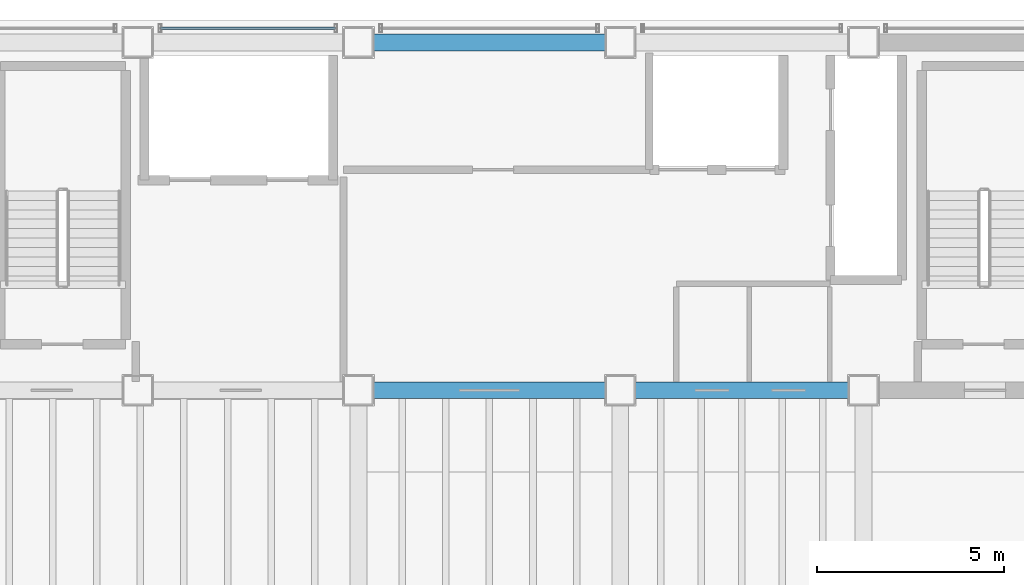
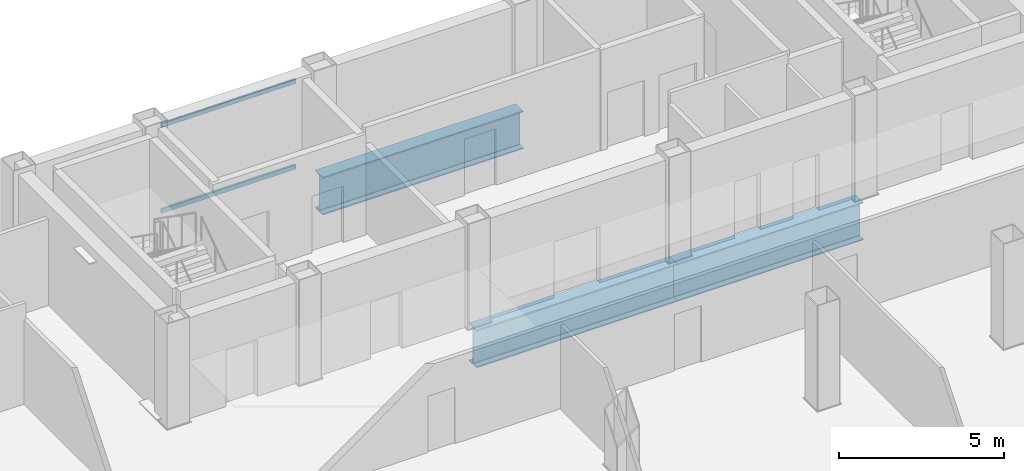
# One storey, part 12 of 22: 3 beams, 2 members, 1 element without a shape of its own.
"""IFC4 building model written with IfcOpenShell, lengths in metres."""

import ifcopenshell
import ifcopenshell.guid

model = None  # the IFC model being written
_history = None  # IfcOwnerHistory: only IFC2X3 demands one
_inside = {}  # id of a spatial element -> (the spatial element, [elements in it])
_under = {}  # id of a project, library or spatial element -> (it, [spatial elements below it])
_declared = {}  # id of a project -> (the project, [libraries it declares])
_typed = {}  # id of a type object -> (the type object, [elements of that type])
_made_of = {}  # id of a material, layer set ... -> (it, [elements and type objects made of it])


def new_model(schema):
    """Start an empty IFC model of exactly this schema.

    Asked for "IFC4X3", IfcOpenShell would pick the latest addendum, in which some entities
    have other attributes; the version numbers below select the first issue.
    IFC2X3 requires an IfcOwnerHistory on every rooted entity: one is made here for all.
    """
    global model, _history
    if schema == "IFC4X3":
        model = ifcopenshell.file(schema_version=(4, 3, 0, 0))
    else:
        model = ifcopenshell.file(schema=schema)
    _inside.clear()
    _under.clear()
    _declared.clear()
    _typed.clear()
    _made_of.clear()
    _history = None
    if model.schema == "IFC2X3":
        org = make("IfcOrganization", Name="unknown")
        user = make(
            "IfcPersonAndOrganization",
            ThePerson=make("IfcPerson", FamilyName="unknown"),
            TheOrganization=org,
        )
        app = make(
            "IfcApplication",
            ApplicationDeveloper=org,
            Version="unknown",
            ApplicationFullName="unknown",
            ApplicationIdentifier="unknown",
        )
        _history = make(
            "IfcOwnerHistory",
            OwningUser=user,
            OwningApplication=app,
            ChangeAction="ADDED",
            CreationDate=0,
        )
    return model


def make(cls, **values):
    """One entity of the class cls with the attributes given. An attribute that is None is left unset."""
    return model.create_entity(
        cls, **{name: value for name, value in values.items() if value is not None}
    )


def rooted(cls, **values):
    """An entity with a GlobalId (a new one), such as an element, a storey or a relation."""
    return make(cls, GlobalId=ifcopenshell.guid.new(), OwnerHistory=_history, **values)


def si_unit(unit_type, name, prefix=None):
    """IfcSIUnit, for example si_unit("LENGTHUNIT", "METRE", prefix="MILLI")."""
    return make("IfcSIUnit", UnitType=unit_type, Prefix=prefix, Name=name)


def assignment(units):
    """IfcUnitAssignment: the units of a project."""
    return None if units is None else make("IfcUnitAssignment", Units=units)


def point(xyz):
    """IfcCartesianPoint."""
    return None if xyz is None else make("IfcCartesianPoint", Coordinates=xyz)


def direction(xyz):
    """IfcDirection."""
    return None if xyz is None else make("IfcDirection", DirectionRatios=xyz)


def frame(location, z_axis=None, x_axis=None):
    """IfcAxis2Placement3D, a coordinate frame: its origin and axes. An axis left out is left unset."""
    return make(
        "IfcAxis2Placement3D",
        Location=point(location),
        Axis=direction(z_axis),
        RefDirection=direction(x_axis),
    )


def frame_2d(location, x_axis=None):
    """IfcAxis2Placement2D, a coordinate frame in the plane: its origin and x axis."""
    return make(
        "IfcAxis2Placement2D", Location=point(location), RefDirection=direction(x_axis)
    )


def origin():
    """The frame at (0, 0, 0) with its axes left unset."""
    return frame((0.0, 0.0, 0.0))


def origin_2d():
    """The frame at (0, 0) in the plane with its x axis left unset."""
    return frame_2d((0.0, 0.0))


def place(relative_to, where):
    """IfcLocalPlacement: puts the frame where relative to a parent placement (None: the world)."""
    return make(
        "IfcLocalPlacement", PlacementRelTo=relative_to, RelativePlacement=where
    )


def context(
    kind, dimensions, precision=None, world=None, true_north=None, identifier=None
):
    """IfcGeometricRepresentationContext, for example the 3D "Model" context."""
    return make(
        "IfcGeometricRepresentationContext",
        ContextIdentifier=identifier,
        ContextType=kind,
        CoordinateSpaceDimension=dimensions,
        Precision=precision,
        WorldCoordinateSystem=world,
        TrueNorth=true_north,
    )


def subcontext(parent, identifier, kind, view, scale=None):
    """IfcGeometricRepresentationSubContext, for example "Body" below "Model"."""
    return make(
        "IfcGeometricRepresentationSubContext",
        ContextIdentifier=identifier,
        ContextType=kind,
        ParentContext=parent,
        TargetScale=scale,
        TargetView=view,
    )


def project(units=None, contexts=None):
    """IfcProject with its units and contexts."""
    return rooted(
        "IfcProject",
        Name="project",
        RepresentationContexts=contexts,
        UnitsInContext=assignment(units),
    )


def spatial(cls, under=None, at=None, **own):
    """A site, building, storey or space (cls), placed at a placement, below another one or the project."""
    s = rooted(cls, ObjectPlacement=at, **own)
    if under is not None:
        _under.setdefault(under.id(), (under, []))[1].append(s)
    return s


def profile(cls, at=None, kind="AREA", **sizes):
    """A parametric profile (cls). Its sizes go by their IFC names, for example OverallWidth=200.0."""
    return make(cls, ProfileType=kind, Position=at, **sizes)


def hollow_rectangle(**sizes):
    """IfcRectangleHollowProfileDef."""
    return profile("IfcRectangleHollowProfileDef", **sizes)


def i_section(**sizes):
    """IfcIShapeProfileDef."""
    return profile("IfcIShapeProfileDef", **sizes)


def extrude(swept, where, along, depth):
    """IfcExtrudedAreaSolid: the profile swept, set in the frame where, extruded along a direction by depth."""
    return make(
        "IfcExtrudedAreaSolid",
        SweptArea=swept,
        Position=where,
        ExtrudedDirection=direction(along),
        Depth=depth,
    )


def shape(context_of_items, identifier, shape_type, items):
    """IfcShapeRepresentation: the items that make up one representation, for example the "Body"."""
    return make(
        "IfcShapeRepresentation",
        ContextOfItems=context_of_items,
        RepresentationIdentifier=identifier,
        RepresentationType=shape_type,
        Items=items,
    )


def material(Name=None, Category=None):
    """IfcMaterial."""
    return make("IfcMaterial", Name=Name, Category=Category)


def material_profile(
    of_material, cross_section, Name=None, Category=None, Priority=None
):
    """IfcMaterialProfile: a cross section and its material."""
    return make(
        "IfcMaterialProfile",
        Name=Name,
        Material=of_material,
        Profile=cross_section,
        Priority=Priority,
        Category=Category,
    )


def profile_set(profiles, Name=None, composite=None):
    """IfcMaterialProfileSet."""
    return make(
        "IfcMaterialProfileSet",
        Name=Name,
        MaterialProfiles=profiles,
        CompositeProfile=composite,
    )


def made_of(thing, what):
    """Note that an element or type object is made of a material, layer set ...; save() writes the relation."""
    if what is not None:
        _made_of.setdefault(what.id(), (what, []))[1].append(thing)
    return thing


def type_object(cls, material=None, **own):
    """A type object (cls), such as IfcWallType, which elements share."""
    return made_of(rooted(cls, **own), material)


def element(
    cls,
    number,
    at=None,
    inside=None,
    cuts=None,
    type_object=None,
    material=None,
    context=None,
    identifier="Body",
    shape_type=None,
    held_by="IfcProductDefinitionShape",
    body=None,
    shapes=None,
    **own,
):
    """One element of the class cls, such as IfcWall. Its Tag is "e" and its number.

    at: its placement. inside: the storey or other place that contains it. cuts: it is an
    opening in that element (IfcRelVoidsElement). A single representation is given by context,
    identifier, shape_type and body (its items); several are given by shapes. held_by: the class
    of the entity that holds the representations. save() writes the other relations.
    """
    e = rooted(cls, Tag="e%d" % number, ObjectPlacement=at, **own)
    if body is not None:
        shapes = [shape(context, identifier, shape_type, body)]
    if shapes is not None:
        e.Representation = make(held_by, Representations=shapes)
    if inside is not None:
        _inside.setdefault(inside.id(), (inside, []))[1].append(e)
    if cuts is not None:
        rooted(
            "IfcRelVoidsElement", RelatingBuildingElement=cuts, RelatedOpeningElement=e
        )
    if type_object is not None:
        _typed.setdefault(type_object.id(), (type_object, []))[1].append(e)
    return made_of(e, material)


def aggregate(whole, parts):
    """IfcRelAggregates: a whole, such as a stair, and the parts it consists of."""
    return rooted("IfcRelAggregates", RelatingObject=whole, RelatedObjects=parts)


def save(model, path):
    """Write the relations noted so far, then the file.

    IfcRelAggregates (storeys below a building ...), IfcRelContainedInSpatialStructure (elements
    in a storey), IfcRelDefinesByType, IfcRelAssociatesMaterial and IfcRelDeclares: one each for
    every whole, place, type object, material and project.
    """
    for whole, parts in _under.values():
        aggregate(whole, parts)
    for where, things in _inside.values():
        rooted(
            "IfcRelContainedInSpatialStructure",
            RelatedElements=things,
            RelatingStructure=where,
        )
    for kind, things in _typed.values():
        rooted("IfcRelDefinesByType", RelatedObjects=things, RelatingType=kind)
    for what, things in _made_of.values():
        rooted("IfcRelAssociatesMaterial", RelatedObjects=things, RelatingMaterial=what)
    for by, libraries in _declared.values():
        rooted("IfcRelDeclares", RelatingContext=by, RelatedDefinitions=libraries)
    model.write(path)


model = new_model("IFC4")

# Units and contexts
model_context = context("Model", 3, precision=1e-05, world=origin(), true_north=direction((0.0, 1.0)))
body_context = subcontext(model_context, "Body", "Model", "MODEL_VIEW")
ifc_project = project(units=[si_unit("LENGTHUNIT", "METRE"), si_unit("AREAUNIT", "SQUARE_METRE"), si_unit("VOLUMEUNIT", "CUBIC_METRE"), si_unit("PLANEANGLEUNIT", "RADIAN"), si_unit("MASSUNIT", "GRAM", prefix="KILO")], contexts=[model_context])

# Site, building, storey
site_placement = place(None, origin())
site = spatial("IfcSite", under=ifc_project, at=site_placement, CompositionType="ELEMENT")
building_placement = place(site_placement, origin())
building = spatial("IfcBuilding", under=site, at=building_placement, Name="Noeulbin Bourse Tower", CompositionType="ELEMENT")
storey_placement = place(building_placement, frame((0.0, 0.0, 230.60009765625)))
storey = spatial("IfcBuildingStorey", under=building, at=storey_placement, Name="L57", CompositionType="ELEMENT", Elevation=230.60009765625)

# Beams
ifc_material_1 = material(Name="Steel S460", Category="steel")
ifc_material_profile_1 = material_profile(ifc_material_1, i_section(OverallWidth=0.449951171875, OverallDepth=1.39990234375, WebThickness=0.02392578125, FlangeThickness=0.0400390625, FilletRadius=0.02392578125, at=origin_2d()), Name="PG-1400x450x24x40", Category="LoadBearing")
ifc_profile_set_1 = profile_set([ifc_material_profile_1], Name="Steel S460")
beam_type = type_object("IfcBeamType", Name="BM-TRF-1400", PredefinedType="USERDEFINED", material=ifc_profile_set_1)
beam_1_placement = place(storey_placement, frame((24.0, 29.0, -0.940185546875), z_axis=(1.0, 0.0, 0.0), x_axis=(0.0, 1.0, 0.0)))
element("IfcBeam", 1, at=beam_1_placement, inside=storey, type_object=beam_type, Name="Tower Primary Girder EW L57-2.5", ObjectType="GIRDER", PredefinedType="USERDEFINED", context=body_context, shape_type="SweptSolid", body=[
    extrude(i_section(OverallWidth=0.449951171875, OverallDepth=1.39990234375, WebThickness=0.02392578125, FlangeThickness=0.0400390625, FilletRadius=0.02392578125, at=origin_2d()), origin(), (0.0, 0.0, 1.0), 7.0),
])
beam_2_placement = place(storey_placement, frame((31.0, 29.0, -0.940185546875), z_axis=(1.0, 0.0, 0.0), x_axis=(0.0, 1.0, 0.0)))
element("IfcBeam", 2, at=beam_2_placement, inside=storey, type_object=beam_type, Name="Tower Primary Girder EW L57-2.6", ObjectType="GIRDER", PredefinedType="USERDEFINED", context=body_context, shape_type="SweptSolid", body=[
    extrude(i_section(OverallWidth=0.449951171875, OverallDepth=1.39990234375, WebThickness=0.02392578125, FlangeThickness=0.0400390625, FilletRadius=0.02392578125, at=origin_2d()), origin(), (0.0, 0.0, 1.0), 6.5),
])
beam_3_placement = place(storey_placement, frame((24.0, 38.300048828125, -0.940185546875), z_axis=(1.0, 0.0, 0.0), x_axis=(0.0, 1.0, 0.0)))
element("IfcBeam", 3, at=beam_3_placement, inside=storey, type_object=beam_type, Name="Tower Primary Girder EW L57-3.2", ObjectType="GIRDER", PredefinedType="USERDEFINED", context=body_context, shape_type="SweptSolid", body=[
    extrude(i_section(OverallWidth=0.449951171875, OverallDepth=1.39990234375, WebThickness=0.02392578125, FlangeThickness=0.0400390625, FilletRadius=0.02392578125, at=origin_2d()), origin(), (0.0, 0.0, 1.0), 7.0),
])

# Curtain wall, members
ifc_material_2 = material(Name="High-Selectivity Low-Iron Glazing", Category="glass")
curtain_wall_type = type_object("IfcCurtainWallType", Name="CW-SYS-4", PredefinedType="NOTDEFINED", material=ifc_material_2)
curtain_wall_placement = place(storey_placement, origin())
curtain_wall = element("IfcCurtainWall", 4, at=curtain_wall_placement, inside=storey, type_object=curtain_wall_type, Name="Unitised Curtain Wall CW-L57-N-S3", PredefinedType="NOTDEFINED")
ifc_material_3 = material(Name="Anodised Aluminium 6063-T6", Category="aluminium")
ifc_material_profile_2 = material_profile(ifc_material_3, hollow_rectangle(XDim=0.074951171875, YDim=0.159912109375, WallThickness=0.0048828125, InnerFilletRadius=0.00244140625, OuterFilletRadius=0.0048828125, at=origin_2d()), Name="ALU-TRAN-75x160x5", Category="LoadBearing")
ifc_profile_set_2 = profile_set([ifc_material_profile_2], Name="Anodised Aluminium 6063-T6")
member_type = type_object("IfcMemberType", Name="CW-SYS-4-TRN", PredefinedType="USERDEFINED", material=ifc_profile_set_2)
member_1_placement = place(storey_placement, frame((18.7099609375, 38.679931640625, 0.010009765625), z_axis=(1.0, 0.0, 0.0), x_axis=(0.0, 1.0, 0.0)))
member_1 = element("IfcMember", 5, at=member_1_placement, type_object=member_type, Name="Curtain Wall Transom CW-L57-N-S3-T00", ObjectType="TRANSOM", PredefinedType="USERDEFINED", context=body_context, shape_type="SweptSolid", body=[
    extrude(hollow_rectangle(XDim=0.074951171875, YDim=0.159912109375, WallThickness=0.0048828125, InnerFilletRadius=0.00244140625, OuterFilletRadius=0.0048828125, at=origin_2d()), origin(), (0.0, 0.0, 1.0), 4.679931640625),
])
member_2_placement = place(storey_placement, frame((18.7099609375, 38.679931640625, 3.169921875), z_axis=(1.0, 0.0, 0.0), x_axis=(0.0, 1.0, 0.0)))
member_2 = element("IfcMember", 6, at=member_2_placement, type_object=member_type, Name="Curtain Wall Transom CW-L57-N-S3-T01", ObjectType="TRANSOM", PredefinedType="USERDEFINED", context=body_context, shape_type="SweptSolid", body=[
    extrude(hollow_rectangle(XDim=0.074951171875, YDim=0.159912109375, WallThickness=0.0048828125, InnerFilletRadius=0.00244140625, OuterFilletRadius=0.0048828125, at=origin_2d()), origin(), (0.0, 0.0, 1.0), 4.679931640625),
])
aggregate(curtain_wall, [member_1, member_2])

save(model, "model.ifc")
